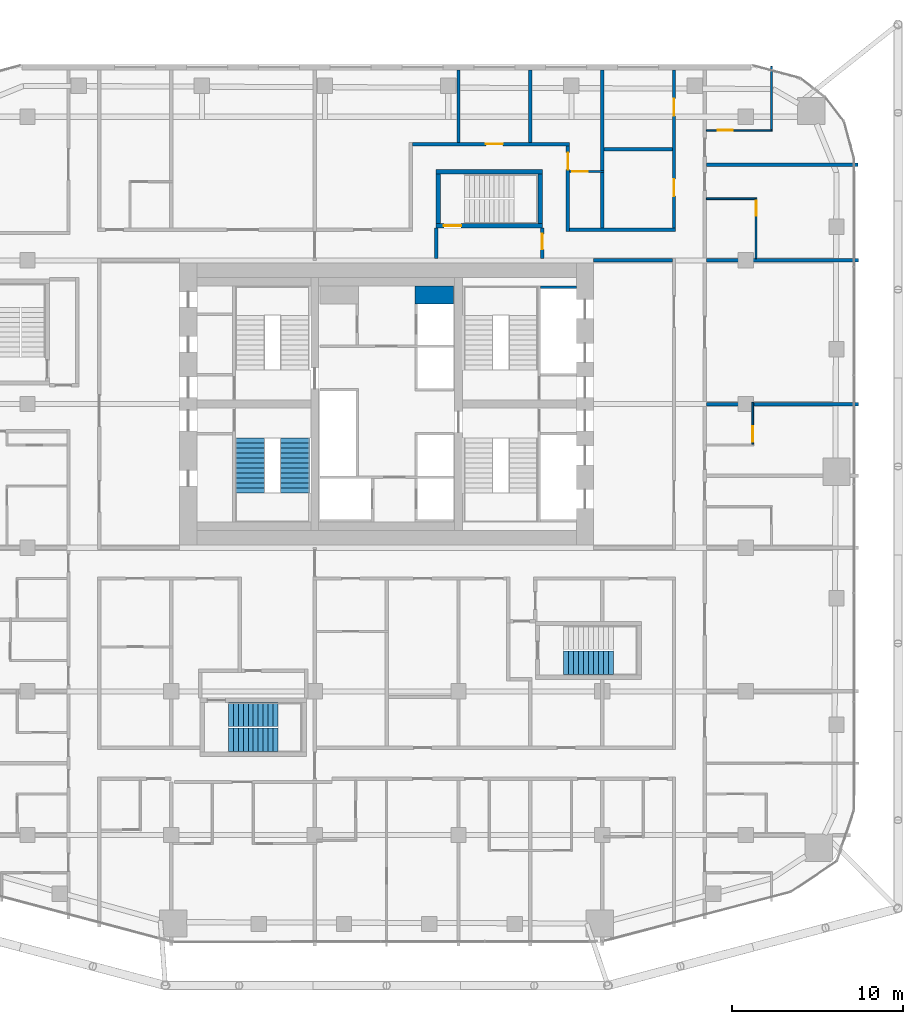
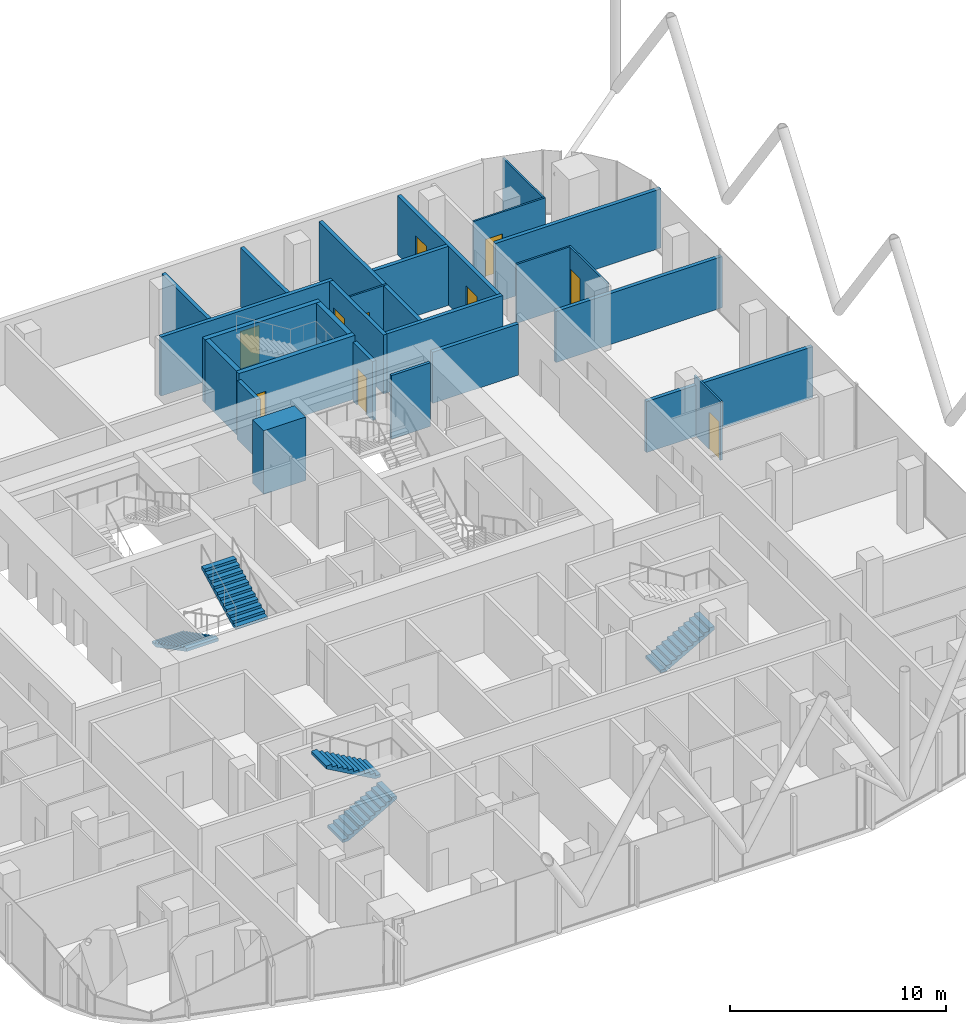
# One storey, part 30 of 33: 26 walls, 10 doors, 5 stair flights, 10 openings, 3 elements without a shape of their own.
"""IFC4 building model written with IfcOpenShell, lengths in metres."""

from ifc_helpers import new_model, si_unit, direction, frame, frame_2d, origin, place, context, subcontext, project, spatial, polyline, rectangle, outline, extrude, material, layer, layer_set, type_object, element, fill, aggregate, save


model = new_model("IFC4")

# Units and contexts
model_context = context("Model", 3, precision=1e-05, world=origin(), true_north=direction((0.0, 1.0)))
body_context = subcontext(model_context, "Body", "Model", "MODEL_VIEW")
ifc_project = project(units=[si_unit("LENGTHUNIT", "METRE"), si_unit("AREAUNIT", "SQUARE_METRE"), si_unit("VOLUMEUNIT", "CUBIC_METRE"), si_unit("PLANEANGLEUNIT", "RADIAN"), si_unit("MASSUNIT", "GRAM", prefix="KILO")], contexts=[model_context])

# Site, building, storey
site_placement = place(None, origin())
site = spatial("IfcSite", under=ifc_project, at=site_placement, CompositionType="ELEMENT")
building_placement = place(site_placement, origin())
building = spatial("IfcBuilding", under=site, at=building_placement, Name="Marenta Gate Hotel Tower", CompositionType="ELEMENT")
storey_placement = place(building_placement, frame((0.0, 0.0, 151.699951171875)))
storey = spatial("IfcBuildingStorey", under=building, at=storey_placement, Name="L35", CompositionType="ELEMENT", Elevation=151.699951171875)

# Walls
ifc_material_1 = material(Name="Concrete blockwork", Category="masonry")
ifc_layer_1 = layer(ifc_material_1, 0.199951171875)
ifc_layer_set_1 = layer_set([ifc_layer_1], Name="Concrete blockwork")
wall_type_1 = type_object("IfcWallType", Name="Core boundary wall 200 REI 180", PredefinedType="PARTITIONING", material=ifc_layer_set_1)
wall_1_placement = place(storey_placement, frame((12.10009765625, 16.800048828125, 0.0), z_axis=(0.0, 0.0, 1.0), x_axis=(1.0, 0.0, 0.0)))
element("IfcWall", 1, at=wall_1_placement, inside=storey, type_object=wall_type_1, Name="L35-CP-EW-EN", PredefinedType="PARTITIONING", context=body_context, shape_type="SweptSolid", body=[
    extrude(rectangle(XDim=4.599853515625, YDim=0.199951171875, at=frame_2d((2.2998046875, 0.0))), origin(), (0.0, 0.0, 1.0), 2.89013671875),
])
ifc_material_2 = material(Name="Concrete C40", Category="concrete")
ifc_layer_2 = layer(ifc_material_2, 1.050048828125)
ifc_layer_set_2 = layer_set([ifc_layer_2], Name="Concrete C40")
wall_type_2 = type_object("IfcWallType", Name="Core shaft wall 1050 REI 180", PredefinedType="SHEAR", material=ifc_layer_set_2)
wall_2_placement = place(storey_placement, frame((1.64990234375, 14.77490234375, 0.0), z_axis=(0.0, 0.0, 1.0), x_axis=(1.0, 0.0, 0.0)))
element("IfcWall", 2, at=wall_2_placement, inside=storey, type_object=wall_type_2, Name="L35-SHF-CE-N-top", PredefinedType="SHEAR", context=body_context, shape_type="SweptSolid", body=[
    extrude(rectangle(XDim=2.25, YDim=1.050048828125, at=frame_2d((1.125, 0.0))), origin(), (0.0, 0.0, 1.0), 3.60009765625),
])
ifc_material_3 = material(Name="Concrete C40", Category="concrete")
ifc_layer_3 = layer(ifc_material_3, 0.14990234375)
ifc_layer_set_3 = layer_set([ifc_layer_3], Name="Concrete C40")
wall_type_3 = type_object("IfcWallType", Name="Core shaft wall 150 REI 180", PredefinedType="SHEAR", material=ifc_layer_set_3)
wall_3_placement = place(storey_placement, frame((9.0, 15.22509765625, 0.0), z_axis=(0.0, 0.0, 1.0), x_axis=(1.0, 0.0, 0.0)))
element("IfcWall", 3, at=wall_3_placement, inside=storey, type_object=wall_type_3, Name="L35-SHF-SW-EN-5", PredefinedType="SHEAR", context=body_context, shape_type="SweptSolid", body=[
    extrude(rectangle(XDim=2.10009765625, YDim=0.14990234375, at=frame_2d((1.050048828125, 0.0))), origin(), (0.0, 0.0, 1.0), 3.60009765625),
])

# Wall, opening, door
ifc_material_4 = material(Name="Concrete C40", Category="concrete")
ifc_layer_4 = layer(ifc_material_4, 0.25)
ifc_layer_set_4 = layer_set([ifc_layer_4], Name="Concrete C40")
wall_type_4 = type_object("IfcWallType", Name="Remote stair enclosure wall 250 REI 180", PredefinedType="SHEAR", material=ifc_layer_set_4)
wall_4_placement = place(storey_placement, frame((2.89990234375, 18.824951171875, 0.10009765625), z_axis=(0.0, 0.0, 1.0), x_axis=(1.0, 0.0, 0.0)))
wall_4 = element("IfcWall", 4, at=wall_4_placement, inside=storey, type_object=wall_type_4, Name="L35-RS-Z2-4-W1", PredefinedType="SHEAR", context=body_context, shape_type="SweptSolid", body=[
    extrude(rectangle(XDim=6.2001953125, YDim=0.25, at=frame_2d((3.10009765625, 0.0))), origin(), (0.0, 0.0, 1.0), 3.599853515625),
])
opening_1_placement = place(wall_4_placement, frame((0.449951171875, 0.0, 0.0)))
opening_1 = element("IfcOpeningElement", 5, at=opening_1_placement, cuts=wall_4, Name="Opening VD", PredefinedType="OPENING", context=body_context, shape_type="SweptSolid", body=[
    extrude(rectangle(XDim=1.0, YDim=2.10009765625, at=frame_2d((0.5, 1.050048828125))), frame((0.0, 0.125, 0.0), z_axis=(0.0, -1.0, 0.0), x_axis=(1.0, 0.0, 0.0)), (0.0, 0.0, 1.0), 0.25),
])
ifc_material_5 = material(Name="Steel", Category="steel")
door_type_1 = type_object("IfcDoorType", Name="Stair vestibule door 1000x2100 FD60", OperationType="SINGLE_SWING_LEFT", PredefinedType="DOOR", material=ifc_material_5)
door_1_placement = place(opening_1_placement, origin())
door_1 = element("IfcDoor", 6, at=door_1_placement, inside=storey, type_object=door_type_1, Name="VD", OperationType="SINGLE_SWING_LEFT", OverallHeight=2.10009765625, OverallWidth=1.0, PredefinedType="DOOR", context=body_context, shape_type="SweptSolid", body=[
    extrude(rectangle(XDim=1.0, YDim=2.10009765625, at=frame_2d((0.5, 1.050048828125))), frame((0.0, 0.02490234375, 0.0), z_axis=(0.0, -1.0, 0.0), x_axis=(1.0, 0.0, 0.0)), (0.0, 0.0, 1.0), 0.050048828125),
])
fill(opening_1, door_1)

# Walls
wall_5_placement = place(storey_placement, frame((2.89990234375, 21.97509765625, 0.10009765625), z_axis=(0.0, 0.0, 1.0), x_axis=(1.0, 0.0, 0.0)))
element("IfcWall", 7, at=wall_5_placement, inside=storey, type_object=wall_type_4, Name="L35-RS-Z2-4-W2", PredefinedType="SHEAR", context=body_context, shape_type="SweptSolid", body=[
    extrude(rectangle(XDim=6.2001953125, YDim=0.25, at=frame_2d((3.10009765625, 0.0))), origin(), (0.0, 0.0, 1.0), 3.599853515625),
])
for number, where, z_axis, x_axis, name in (
    (8, (3.02490234375, 18.949951171875, 0.10009765625), (0.0, 0.0, 1.0), (0.0, 1.0, 0.0), "L35-RS-Z2-4-W3"),
    (9, (8.97509765625, 18.949951171875, 0.10009765625), (0.0, 0.0, 1.0), (0.0, 1.0, 0.0), "L35-RS-Z2-4-W4"),
):
    element("IfcWall", number, at=place(storey_placement, frame(where, z_axis=z_axis, x_axis=x_axis)), inside=storey, type_object=wall_type_4, Name=name, PredefinedType="SHEAR", context=body_context, shape_type="SweptSolid", body=[
        extrude(rectangle(XDim=2.900146484375, YDim=0.25, at=frame_2d((1.4501953125, 0.0))), origin(), (0.0, 0.0, 1.0), 3.599853515625),
    ])

# Wall, openings, doors
ifc_material_6 = material(Name="Gypsum board on steel stud", Category="steel")
ifc_layer_5 = layer(ifc_material_6, 0.199951171875)
ifc_layer_set_5 = layer_set([ifc_layer_5], Name="Gypsum board on steel stud")
wall_type_5 = type_object("IfcWallType", Name="Room corridor wall 200 EI 60", PredefinedType="PARTITIONING", material=ifc_layer_set_5)
wall_6_placement = place(storey_placement, frame((16.800048828125, 18.699951171875, 0.0), z_axis=(0.0, 0.0, 1.0), x_axis=(0.0, 1.0, 0.0)))
wall_6 = element("IfcWall", 10, at=wall_6_placement, inside=storey, type_object=wall_type_5, Name="L35-PTN-W017", PredefinedType="PARTITIONING", context=body_context, shape_type="SweptSolid", body=[
    extrude(rectangle(XDim=9.239990234375, YDim=0.199951171875, at=frame_2d((4.6201171875, 0.0))), origin(), (0.0, 0.0, 1.0), 3.340087890625),
])
opening_2_placement = place(wall_6_placement, frame((1.85009765625, 0.0, 0.0)))
opening_2 = element("IfcOpeningElement", 11, at=opening_2_placement, cuts=wall_6, Name="Opening G13-65", PredefinedType="OPENING", context=body_context, shape_type="SweptSolid", body=[
    extrude(rectangle(XDim=1.0, YDim=2.10009765625, at=frame_2d((0.5, 1.050048828125))), frame((0.0, 0.10009765625, 0.0), z_axis=(0.0, -1.0, 0.0), x_axis=(1.0, 0.0, 0.0)), (0.0, 0.0, 1.0), 0.199951171875),
])
opening_3_placement = place(wall_6_placement, frame((6.550048828125, 0.0, 0.0)))
opening_3 = element("IfcOpeningElement", 12, at=opening_3_placement, cuts=wall_6, Name="Opening G13-66", PredefinedType="OPENING", context=body_context, shape_type="SweptSolid", body=[
    extrude(rectangle(XDim=1.0, YDim=2.10009765625, at=frame_2d((0.5, 1.050048828125))), frame((0.0, 0.10009765625, 0.0), z_axis=(0.0, -1.0, 0.0), x_axis=(1.0, 0.0, 0.0)), (0.0, 0.0, 1.0), 0.199951171875),
])
ifc_material_7 = material(Name="Timber door leaf", Category="wood")
door_type_2 = type_object("IfcDoorType", Name="Room amenity door 1000x2100 EI 30", OperationType="NOTDEFINED", PredefinedType="DOOR", material=ifc_material_7)
door_2_placement = place(opening_2_placement, origin())
door_2 = element("IfcDoor", 13, at=door_2_placement, inside=storey, type_object=door_type_2, Name="L35-PD-D065", OperationType="SINGLE_SWING_LEFT", OverallHeight=2.10009765625, OverallWidth=1.0, PredefinedType="DOOR", context=body_context, shape_type="SweptSolid", body=[
    extrude(rectangle(XDim=1.0, YDim=2.10009765625, at=frame_2d((0.5, 1.050048828125))), frame((0.0, 0.02490234375, 0.0), z_axis=(0.0, -1.0, 0.0), x_axis=(1.0, 0.0, 0.0)), (0.0, 0.0, 1.0), 0.050048828125),
])
fill(opening_2, door_2)
door_3_placement = place(opening_3_placement, origin())
door_3 = element("IfcDoor", 14, at=door_3_placement, inside=storey, type_object=door_type_2, Name="L35-PD-D066", OperationType="SINGLE_SWING_LEFT", OverallHeight=2.10009765625, OverallWidth=1.0, PredefinedType="DOOR", context=body_context, shape_type="SweptSolid", body=[
    extrude(rectangle(XDim=1.0, YDim=2.10009765625, at=frame_2d((0.5, 1.050048828125))), frame((0.0, 0.02490234375, 0.0), z_axis=(0.0, -1.0, 0.0), x_axis=(1.0, 0.0, 0.0)), (0.0, 0.0, 1.0), 0.050048828125),
])
fill(opening_3, door_3)

# Wall, opening, door
wall_7_placement = place(storey_placement, frame((10.60009765625, 18.5, 0.0), z_axis=(0.0, 0.0, 1.0), x_axis=(0.0, 1.0, 0.0)))
wall_7 = element("IfcWall", 15, at=wall_7_placement, inside=storey, type_object=wall_type_5, Name="L35-PTN-W037", PredefinedType="PARTITIONING", context=body_context, shape_type="SweptSolid", body=[
    extrude(rectangle(XDim=5.0, YDim=0.199951171875, at=frame_2d((2.5, 0.0))), origin(), (0.0, 0.0, 1.0), 3.340087890625),
])
opening_4_placement = place(wall_7_placement, frame((3.60009765625, 0.0, 0.0)))
opening_4 = element("IfcOpeningElement", 16, at=opening_4_placement, cuts=wall_7, Name="Opening G13-27", PredefinedType="OPENING", context=body_context, shape_type="SweptSolid", body=[
    extrude(rectangle(XDim=1.0, YDim=2.10009765625, at=frame_2d((0.5, 1.050048828125))), frame((0.0, 0.10009765625, 0.0), z_axis=(0.0, -1.0, 0.0), x_axis=(1.0, 0.0, 0.0)), (0.0, 0.0, 1.0), 0.199951171875),
])
ifc_material_8 = material(Name="Timber door leaf", Category="wood")
door_type_3 = type_object("IfcDoorType", Name="Guest room door 1000x2100 EI 30", OperationType="NOTDEFINED", PredefinedType="DOOR", material=ifc_material_8)
door_4_placement = place(opening_4_placement, origin())
door_4 = element("IfcDoor", 17, at=door_4_placement, inside=storey, type_object=door_type_3, Name="L35-PD-D027", OperationType="SINGLE_SWING_LEFT", OverallHeight=2.10009765625, OverallWidth=1.0, PredefinedType="DOOR", context=body_context, shape_type="SweptSolid", body=[
    extrude(rectangle(XDim=1.0, YDim=2.10009765625, at=frame_2d((0.5, 1.050048828125))), frame((0.0, 0.02490234375, 0.0), z_axis=(0.0, -1.0, 0.0), x_axis=(1.0, 0.0, 0.0)), (0.0, 0.0, 1.0), 0.050048828125),
])
fill(opening_4, door_4)

# Wall
wall_8_placement = place(storey_placement, frame((10.699951171875, 18.60009765625, 0.0), z_axis=(0.0, 0.0, 1.0), x_axis=(1.0, 0.0, 0.0)))
element("IfcWall", 18, at=wall_8_placement, inside=storey, type_object=wall_type_5, Name="L35-PTN-W104", PredefinedType="PARTITIONING", context=body_context, shape_type="SweptSolid", body=[
    extrude(rectangle(XDim=6.199951171875, YDim=0.199951171875, at=frame_2d((3.10009765625, 0.0))), origin(), (0.0, 0.0, 1.0), 3.340087890625),
])

# Wall, opening, door
wall_9_placement = place(storey_placement, frame((1.5, 23.60009765625, 0.0), z_axis=(0.0, 0.0, 1.0), x_axis=(1.0, 0.0, 0.0)))
wall_9 = element("IfcWall", 19, at=wall_9_placement, inside=storey, type_object=wall_type_5, Name="L35-PTN-W117", PredefinedType="PARTITIONING", context=body_context, shape_type="SweptSolid", body=[
    extrude(rectangle(XDim=9.199951171875, YDim=0.199951171875, at=frame_2d((4.60009765625, 0.0))), origin(), (0.0, 0.0, 1.0), 3.340087890625),
])
opening_5_placement = place(wall_9_placement, frame((4.300048828125, 0.0, 0.0)))
opening_5 = element("IfcOpeningElement", 20, at=opening_5_placement, cuts=wall_9, Name="Opening G13-26", PredefinedType="OPENING", context=body_context, shape_type="SweptSolid", body=[
    extrude(rectangle(XDim=1.0, YDim=2.10009765625, at=frame_2d((0.5, 1.050048828125))), frame((0.0, 0.10009765625, 0.0), z_axis=(0.0, -1.0, 0.0), x_axis=(1.0, 0.0, 0.0)), (0.0, 0.0, 1.0), 0.199951171875),
])
ifc_material_9 = material(Name="Hollow steel door set", Category="steel")
door_type_4 = type_object("IfcDoorType", Name="Room service door 1000x2100 EI 30", OperationType="NOTDEFINED", PredefinedType="DOOR", material=ifc_material_9)
door_5_placement = place(opening_5_placement, origin())
door_5 = element("IfcDoor", 21, at=door_5_placement, inside=storey, type_object=door_type_4, Name="L35-PD-D026", OperationType="SINGLE_SWING_LEFT", OverallHeight=2.10009765625, OverallWidth=1.0, PredefinedType="DOOR", context=body_context, shape_type="SweptSolid", body=[
    extrude(rectangle(XDim=1.0, YDim=2.10009765625, at=frame_2d((0.5, 1.050048828125))), frame((0.0, 0.02490234375, 0.0), z_axis=(0.0, -1.0, 0.0), x_axis=(1.0, 0.0, 0.0)), (0.0, 0.0, 1.0), 0.050048828125),
])
fill(opening_5, door_5)

ifc_material_10 = material(Name="Concrete blockwork", Category="masonry")
ifc_layer_6 = layer(ifc_material_10, 0.199951171875)
ifc_layer_set_6 = layer_set([ifc_layer_6], Name="Concrete blockwork")
wall_type_6 = type_object("IfcWallType", Name="Room corridor wall 200 REI 180", PredefinedType="PARTITIONING", material=ifc_layer_set_6)
wall_10_placement = place(storey_placement, frame((9.10009765625, 16.89990234375, 0.0), z_axis=(0.0, 0.0, 1.0), x_axis=(0.0, 1.0, 0.0)))
wall_10 = element("IfcWall", 22, at=wall_10_placement, inside=storey, type_object=wall_type_6, Name="L35-PTN-W038", PredefinedType="PARTITIONING", context=body_context, shape_type="SweptSolid", body=[
    extrude(rectangle(XDim=1.800048828125, YDim=0.199951171875, at=frame_2d((0.89990234375, 0.0))), origin(), (0.0, 0.0, 1.0), 3.340087890625),
])
opening_6_placement = place(wall_10_placement, frame((0.550048828125, 0.0, 0.0)))
opening_6 = element("IfcOpeningElement", 23, at=opening_6_placement, cuts=wall_10, Name="Opening G13-61", PredefinedType="OPENING", context=body_context, shape_type="SweptSolid", body=[
    extrude(rectangle(XDim=0.89990234375, YDim=2.10009765625, at=frame_2d((0.449951171875, 1.050048828125))), frame((0.0, 0.10009765625, 0.0), z_axis=(0.0, -1.0, 0.0), x_axis=(1.0, 0.0, 0.0)), (0.0, 0.0, 1.0), 0.199951171875),
])
ifc_material_11 = material(Name="Hollow steel door set", Category="steel")
door_type_5 = type_object("IfcDoorType", Name="Stair vestibule door 900x2100 EI 60", OperationType="NOTDEFINED", PredefinedType="DOOR", material=ifc_material_11)
door_6_placement = place(opening_6_placement, origin())
door_6 = element("IfcDoor", 24, at=door_6_placement, inside=storey, type_object=door_type_5, Name="L35-PD-D061", OperationType="SINGLE_SWING_RIGHT", OverallHeight=2.10009765625, OverallWidth=0.89990234375, PredefinedType="DOOR", context=body_context, shape_type="SweptSolid", body=[
    extrude(rectangle(XDim=0.89990234375, YDim=2.10009765625, at=frame_2d((0.449951171875, 1.050048828125))), frame((0.0, 0.02490234375, 0.0), z_axis=(0.0, -1.0, 0.0), x_axis=(1.0, 0.0, 0.0)), (0.0, 0.0, 1.0), 0.050048828125),
])
fill(opening_6, door_6)

# Walls
wall_11_placement = place(storey_placement, frame((2.89990234375, 16.89990234375, 0.0), z_axis=(0.0, 0.0, 1.0), x_axis=(0.0, 1.0, 0.0)))
element("IfcWall", 25, at=wall_11_placement, inside=storey, type_object=wall_type_6, Name="L35-PTN-W060", PredefinedType="PARTITIONING", context=body_context, shape_type="SweptSolid", body=[
    extrude(rectangle(XDim=1.800048828125, YDim=0.199951171875, at=frame_2d((0.89990234375, 0.0))), origin(), (0.0, 0.0, 1.0), 3.340087890625),
])
ifc_material_12 = material(Name="Gypsum board on steel stud", Category="steel")
ifc_layer_7 = layer(ifc_material_12, 0.10009765625)
ifc_layer_set_7 = layer_set([ifc_layer_7], Name="Gypsum board on steel stud")
wall_type_7 = type_object("IfcWallType", Name="Room partition 100", PredefinedType="PARTITIONING", material=ifc_layer_set_7)
wall_12_placement = place(storey_placement, frame((22.5, 24.449951171875, 0.0), z_axis=(0.0, 0.0, 1.0), x_axis=(0.0, 1.0, 0.0)))
element("IfcWall", 26, at=wall_12_placement, inside=storey, type_object=wall_type_7, Name="L35-PTN-W003", PredefinedType="PARTITIONING", context=body_context, shape_type="SweptSolid", body=[
    extrude(rectangle(XDim=3.692138671875, YDim=0.10009765625, at=frame_2d((1.84619140625, 0.0))), origin(), (0.0, 0.0, 1.0), 3.340087890625),
])

# Wall, opening, door
wall_13_placement = place(storey_placement, frame((21.60009765625, 16.89990234375, 0.0), z_axis=(0.0, 0.0, 1.0), x_axis=(0.0, 1.0, 0.0)))
wall_13 = element("IfcWall", 27, at=wall_13_placement, inside=storey, type_object=wall_type_7, Name="L35-PTN-W005", PredefinedType="PARTITIONING", context=body_context, shape_type="SweptSolid", body=[
    extrude(rectangle(XDim=3.550048828125, YDim=0.10009765625, at=frame_2d((1.77490234375, 0.0))), origin(), (0.0, 0.0, 1.0), 3.340087890625),
])
opening_7_placement = place(wall_13_placement, frame((2.5, 0.0, 0.0)))
opening_7 = element("IfcOpeningElement", 28, at=opening_7_placement, cuts=wall_13, Name="Opening G13-20", PredefinedType="OPENING", context=body_context, shape_type="SweptSolid", body=[
    extrude(rectangle(XDim=0.89990234375, YDim=2.10009765625, at=frame_2d((0.449951171875, 1.050048828125))), frame((0.0, 0.050048828125, 0.0), z_axis=(0.0, -1.0, 0.0), x_axis=(1.0, 0.0, 0.0)), (0.0, 0.0, 1.0), 0.10009765625),
])
ifc_material_13 = material(Name="Timber door leaf", Category="wood")
door_type_6 = type_object("IfcDoorType", Name="Guest bathroom door 900x2100", OperationType="NOTDEFINED", PredefinedType="DOOR", material=ifc_material_13)
door_7_placement = place(opening_7_placement, origin())
door_7 = element("IfcDoor", 29, at=door_7_placement, inside=storey, type_object=door_type_6, Name="L35-PD-D020", OperationType="SINGLE_SWING_RIGHT", OverallHeight=2.10009765625, OverallWidth=0.89990234375, PredefinedType="DOOR", context=body_context, shape_type="SweptSolid", body=[
    extrude(rectangle(XDim=0.89990234375, YDim=2.10009765625, at=frame_2d((0.449951171875, 1.050048828125))), frame((0.0, 0.02490234375, 0.0), z_axis=(0.0, -1.0, 0.0), x_axis=(1.0, 0.0, 0.0)), (0.0, 0.0, 1.0), 0.050048828125),
])
fill(opening_7, door_7)

wall_14_placement = place(storey_placement, frame((21.39990234375, 6.050048828125, 0.0), z_axis=(0.0, 0.0, 1.0), x_axis=(0.0, 1.0, 0.0)))
wall_14 = element("IfcWall", 30, at=wall_14_placement, inside=storey, type_object=wall_type_7, Name="L35-PTN-W006", PredefinedType="PARTITIONING", context=body_context, shape_type="SweptSolid", body=[
    extrude(rectangle(XDim=2.449951171875, YDim=0.10009765625, at=frame_2d((1.22509765625, 0.0))), origin(), (0.0, 0.0, 1.0), 3.340087890625),
])
opening_8_placement = place(wall_14_placement, frame((0.14990234375, 0.0, 0.0)))
opening_8 = element("IfcOpeningElement", 31, at=opening_8_placement, cuts=wall_14, Name="Opening G13-17", PredefinedType="OPENING", context=body_context, shape_type="SweptSolid", body=[
    extrude(rectangle(XDim=0.89990234375, YDim=2.10009765625, at=frame_2d((0.449951171875, 1.050048828125))), frame((0.0, 0.050048828125, 0.0), z_axis=(0.0, -1.0, 0.0), x_axis=(1.0, 0.0, 0.0)), (0.0, 0.0, 1.0), 0.10009765625),
])
door_8_placement = place(opening_8_placement, origin())
door_8 = element("IfcDoor", 32, at=door_8_placement, inside=storey, type_object=door_type_6, Name="L35-PD-D017", OperationType="SINGLE_SWING_LEFT", OverallHeight=2.10009765625, OverallWidth=0.89990234375, PredefinedType="DOOR", context=body_context, shape_type="SweptSolid", body=[
    extrude(rectangle(XDim=0.89990234375, YDim=2.10009765625, at=frame_2d((0.449951171875, 1.050048828125))), frame((0.0, 0.02490234375, 0.0), z_axis=(0.0, -1.0, 0.0), x_axis=(1.0, 0.0, 0.0)), (0.0, 0.0, 1.0), 0.050048828125),
])
fill(opening_8, door_8)

# Wall
wall_15_placement = place(storey_placement, frame((18.699951171875, 20.39990234375, 0.0), z_axis=(0.0, 0.0, 1.0), x_axis=(1.0, 0.0, 0.0)))
element("IfcWall", 33, at=wall_15_placement, inside=storey, type_object=wall_type_7, Name="L35-PTN-W105", PredefinedType="PARTITIONING", context=body_context, shape_type="SweptSolid", body=[
    extrude(rectangle(XDim=2.85009765625, YDim=0.10009765625, at=frame_2d((1.425048828125, 0.0))), origin(), (0.0, 0.0, 1.0), 3.340087890625),
])

# Wall, opening, door
wall_16_placement = place(storey_placement, frame((10.699951171875, 22.0, 0.0), z_axis=(0.0, 0.0, 1.0), x_axis=(1.0, 0.0, 0.0)))
wall_16 = element("IfcWall", 34, at=wall_16_placement, inside=storey, type_object=wall_type_7, Name="L35-PTN-W111", PredefinedType="PARTITIONING", context=body_context, shape_type="SweptSolid", body=[
    extrude(rectangle(XDim=2.0, YDim=0.10009765625, at=frame_2d((1.0, 0.0))), origin(), (0.0, 0.0, 1.0), 3.340087890625),
])
opening_9_placement = place(wall_16_placement, frame((0.14990234375, 0.0, 0.0)))
opening_9 = element("IfcOpeningElement", 35, at=opening_9_placement, cuts=wall_16, Name="Opening G13-28", PredefinedType="OPENING", context=body_context, shape_type="SweptSolid", body=[
    extrude(rectangle(XDim=0.89990234375, YDim=2.10009765625, at=frame_2d((0.449951171875, 1.050048828125))), frame((0.0, 0.050048828125, 0.0), z_axis=(0.0, -1.0, 0.0), x_axis=(1.0, 0.0, 0.0)), (0.0, 0.0, 1.0), 0.10009765625),
])
door_9_placement = place(opening_9_placement, origin())
door_9 = element("IfcDoor", 36, at=door_9_placement, inside=storey, type_object=door_type_6, Name="L35-PD-D028", OperationType="SINGLE_SWING_RIGHT", OverallHeight=2.10009765625, OverallWidth=0.89990234375, PredefinedType="DOOR", context=body_context, shape_type="SweptSolid", body=[
    extrude(rectangle(XDim=0.89990234375, YDim=2.10009765625, at=frame_2d((0.449951171875, 1.050048828125))), frame((0.0, 0.02490234375, 0.0), z_axis=(0.0, -1.0, 0.0), x_axis=(1.0, 0.0, 0.0)), (0.0, 0.0, 1.0), 0.050048828125),
])
fill(opening_9, door_9)

wall_17_placement = place(storey_placement, frame((18.699951171875, 24.39990234375, 0.0), z_axis=(0.0, 0.0, 1.0), x_axis=(1.0, 0.0, 0.0)))
wall_17 = element("IfcWall", 37, at=wall_17_placement, inside=storey, type_object=wall_type_7, Name="L35-PTN-W118", PredefinedType="PARTITIONING", context=body_context, shape_type="SweptSolid", body=[
    extrude(rectangle(XDim=3.85009765625, YDim=0.10009765625, at=frame_2d((1.925048828125, 0.0))), origin(), (0.0, 0.0, 1.0), 3.340087890625),
])
opening_10_placement = place(wall_17_placement, frame((0.64501953125, 0.0, 0.0)))
opening_10 = element("IfcOpeningElement", 38, at=opening_10_placement, cuts=wall_17, Name="Opening G13-22", PredefinedType="OPENING", context=body_context, shape_type="SweptSolid", body=[
    extrude(rectangle(XDim=0.89990234375, YDim=2.10009765625, at=frame_2d((0.449951171875, 1.050048828125))), frame((0.0, 0.050048828125, 0.0), z_axis=(0.0, -1.0, 0.0), x_axis=(1.0, 0.0, 0.0)), (0.0, 0.0, 1.0), 0.10009765625),
])
door_10_placement = place(opening_10_placement, origin())
door_10 = element("IfcDoor", 39, at=door_10_placement, inside=storey, type_object=door_type_6, Name="L35-PD-D022", OperationType="SINGLE_SWING_RIGHT", OverallHeight=2.10009765625, OverallWidth=0.89990234375, PredefinedType="DOOR", context=body_context, shape_type="SweptSolid", body=[
    extrude(rectangle(XDim=0.89990234375, YDim=2.10009765625, at=frame_2d((0.449951171875, 1.050048828125))), frame((0.0, 0.02490234375, 0.0), z_axis=(0.0, -1.0, 0.0), x_axis=(1.0, 0.0, 0.0)), (0.0, 0.0, 1.0), 0.050048828125),
])
fill(opening_10, door_10)

# Walls
ifc_material_14 = material(Name="Gypsum board on steel stud", Category="steel")
ifc_layer_8 = layer(ifc_material_14, 0.199951171875)
ifc_layer_set_8 = layer_set([ifc_layer_8], Name="Gypsum board on steel stud")
wall_type_8 = type_object("IfcWallType", Name="Room party wall 200 EI 60", PredefinedType="PARTITIONING", material=ifc_layer_set_8)
wall_18_placement = place(storey_placement, frame((12.60009765625, 18.699951171875, 0.0), z_axis=(0.0, 0.0, 1.0), x_axis=(0.0, 1.0, 0.0)))
element("IfcWall", 40, at=wall_18_placement, inside=storey, type_object=wall_type_8, Name="L35-PTN-W030", PredefinedType="PARTITIONING", context=body_context, shape_type="SweptSolid", body=[
    extrude(rectangle(XDim=9.239990234375, YDim=0.199951171875, at=frame_2d((4.6201171875, 0.0))), origin(), (0.0, 0.0, 1.0), 3.340087890625),
])
for number, where, z_axis, x_axis, name in (
    (41, (8.39990234375, 23.699951171875, 0.0), (0.0, 0.0, 1.0), (0.0, 1.0, 0.0), "L35-PTN-W043"),
    (42, (4.199951171875, 23.699951171875, 0.0), (0.0, 0.0, 1.0), (0.0, 1.0, 0.0), "L35-PTN-W058"),
):
    element("IfcWall", number, at=place(storey_placement, frame(where, z_axis=z_axis, x_axis=x_axis)), inside=storey, type_object=wall_type_8, Name=name, PredefinedType="PARTITIONING", context=body_context, shape_type="SweptSolid", body=[
        extrude(rectangle(XDim=4.239990234375, YDim=0.199951171875, at=frame_2d((2.1201171875, 0.0))), origin(), (0.0, 0.0, 1.0), 3.340087890625),
    ])
for number, where, z_axis, x_axis, name in (
    (43, (18.699951171875, 8.39990234375, 0.0), (0.0, 0.0, 1.0), (1.0, 0.0, 0.0), "L35-PTN-W083"),
    (44, (18.699951171875, 16.800048828125, 0.0), (0.0, 0.0, 1.0), (1.0, 0.0, 0.0), "L35-PTN-W098"),
):
    element("IfcWall", number, at=place(storey_placement, frame(where, z_axis=z_axis, x_axis=x_axis)), inside=storey, type_object=wall_type_8, Name=name, PredefinedType="PARTITIONING", context=body_context, shape_type="SweptSolid", body=[
        extrude(rectangle(XDim=8.900146484375, YDim=0.199951171875, at=frame_2d((4.4501953125, 0.0))), origin(), (0.0, 0.0, 1.0), 2.89013671875),
    ])
wall_19_placement = place(storey_placement, frame((18.699951171875, 22.39990234375, 0.0), z_axis=(0.0, 0.0, 1.0), x_axis=(1.0, 0.0, 0.0)))
element("IfcWall", 45, at=wall_19_placement, inside=storey, type_object=wall_type_8, Name="L35-PTN-W114", PredefinedType="PARTITIONING", context=body_context, shape_type="SweptSolid", body=[
    extrude(rectangle(XDim=8.84716796875, YDim=0.199951171875, at=frame_2d((4.423583984375, 0.0))), origin(), (0.0, 0.0, 1.0), 3.340087890625),
])
wall_20_placement = place(storey_placement, frame((12.699951171875, 23.300048828125, 0.0), z_axis=(0.0, 0.0, 1.0), x_axis=(1.0, 0.0, 0.0)))
element("IfcWall", 46, at=wall_20_placement, inside=storey, type_object=wall_type_8, Name="L35-PTN-W116", PredefinedType="PARTITIONING", context=body_context, shape_type="SweptSolid", body=[
    extrude(rectangle(XDim=4.0, YDim=0.199951171875, at=frame_2d((2.0, 0.0))), origin(), (0.0, 0.0, 1.0), 3.340087890625),
])

# Stair, stair flights
ifc_material_15 = material(Name="Concrete C40", Category="concrete")
stair_type_1 = type_object("IfcStairType", Name="Core exit stair 1700 wide", PredefinedType="HALF_TURN_STAIR", material=ifc_material_15)
stair_1_placement = place(storey_placement, origin())
stair_1 = element("IfcStair", 47, at=stair_1_placement, inside=storey, type_object=stair_type_1, Name="Exit stair 1", PredefinedType="HALF_TURN_STAIR")
ifc_material_16 = material(Name="Concrete C40", Category="concrete")
stair_flight_type_1 = type_object("IfcStairFlightType", Name="Core stair flight 1700 riser 150.0 going 290", PredefinedType="STRAIGHT", material=ifc_material_16)
stair_flight_1_placement = place(storey_placement, frame((-8.0, 6.39990234375, 0.0), z_axis=(0.0, 0.0, 1.0), x_axis=(0.0, -1.0, 0.0)))
stair_flight_1 = element("IfcStairFlight", 48, at=stair_flight_1_placement, type_object=stair_flight_type_1, Name="ST1 flight 1", NumberOfRisers=12, NumberOfTreads=11, PredefinedType="STRAIGHT", RiserHeight=0.15, TreadLength=0.29, context=body_context, shape_type="SweptSolid", body=[
    extrude(outline(polyline([(0.0, 0.0), (0.0, 0.14990234375), (0.2900390625, 0.14990234375), (0.2900390625, 0.300048828125), (0.580078125, 0.300048828125), (0.580078125, 0.449951171875), (0.8701171875, 0.449951171875), (0.8701171875, 0.60009765625), (1.159912109375, 0.60009765625), (1.159912109375, 0.75), (1.449951171875, 0.75), (1.449951171875, 0.89990234375), (1.739990234375, 0.89990234375), (1.739990234375, 1.050048828125), (2.030029296875, 1.050048828125), (2.030029296875, 1.199951171875), (2.320068359375, 1.199951171875), (2.320068359375, 1.35009765625), (2.610107421875, 1.35009765625), (2.610107421875, 1.5), (2.89990234375, 1.5), (2.89990234375, 1.64990234375), (3.18994140625, 1.64990234375), (3.18994140625, 1.800048828125), (3.18994140625, 1.481201171875), (0.326171875, 0.0), (0.0, 0.0)])), frame((0.0, 0.85009765625, 0.0), z_axis=(0.0, -1.0, 0.0), x_axis=(1.0, 0.0, 0.0)), (0.0, 0.0, 1.0), 1.699951171875),
])
stair_flight_2_placement = place(storey_placement, frame((-5.35009765625, 3.2099609375, 1.800048828125), z_axis=(0.0, 0.0, 1.0), x_axis=(0.0, 1.0, 0.0)))
stair_flight_2 = element("IfcStairFlight", 49, at=stair_flight_2_placement, type_object=stair_flight_type_1, Name="ST1 flight 2", NumberOfRisers=12, NumberOfTreads=11, PredefinedType="STRAIGHT", RiserHeight=0.15, TreadLength=0.29, context=body_context, shape_type="SweptSolid", body=[
    extrude(outline(polyline([(0.0, 0.0), (0.0, 0.14990234375), (0.2900390625, 0.14990234375), (0.2900390625, 0.300048828125), (0.580078125, 0.300048828125), (0.580078125, 0.449951171875), (0.8701171875, 0.449951171875), (0.8701171875, 0.60009765625), (1.159912109375, 0.60009765625), (1.159912109375, 0.75), (1.449951171875, 0.75), (1.449951171875, 0.89990234375), (1.739990234375, 0.89990234375), (1.739990234375, 1.050048828125), (2.030029296875, 1.050048828125), (2.030029296875, 1.199951171875), (2.320068359375, 1.199951171875), (2.320068359375, 1.35009765625), (2.610107421875, 1.35009765625), (2.610107421875, 1.5), (2.89990234375, 1.5), (2.89990234375, 1.64990234375), (3.18994140625, 1.64990234375), (3.18994140625, 1.800048828125), (3.18994140625, 1.481201171875), (0.326171875, 0.0), (0.0, 0.0)])), frame((0.0, 0.85009765625, 0.0), z_axis=(0.0, -1.0, 0.0), x_axis=(1.0, 0.0, 0.0)), (0.0, 0.0, 1.0), 1.699951171875),
])
aggregate(stair_1, [stair_flight_1, stair_flight_2])

ifc_material_17 = material(Name="Concrete C40", Category="concrete")
stair_type_2 = type_object("IfcStairType", Name="Remote exit stair 1400 wide", PredefinedType="HALF_TURN_STAIR", material=ifc_material_17)
stair_2_placement = place(storey_placement, origin())
stair_2 = element("IfcStair", 50, at=stair_2_placement, inside=storey, type_object=stair_type_2, Name="Exit stair RS-Z2-1", PredefinedType="HALF_TURN_STAIR")
ifc_material_18 = material(Name="Concrete C40", Category="concrete")
stair_flight_type_2 = type_object("IfcStairFlightType", Name="Remote stair flight 1400 riser 163.6 going 290", PredefinedType="STRAIGHT", material=ifc_material_18)
stair_flight_3_placement = place(storey_placement, frame((-9.25, -11.25, 0.0), z_axis=(0.0, 0.0, 1.0), x_axis=(1.0, 0.0, 0.0)))
stair_flight_3 = element("IfcStairFlight", 51, at=stair_flight_3_placement, type_object=stair_flight_type_2, Name="RS-Z2-1 flight 1", NumberOfRisers=11, NumberOfTreads=10, PredefinedType="STRAIGHT", RiserHeight=0.163636, TreadLength=0.29, context=body_context, shape_type="SweptSolid", body=[
    extrude(outline(polyline([(0.0, 0.0), (0.0, 0.16357421875), (0.2900390625, 0.16357421875), (0.2900390625, 0.327392578125), (0.580078125, 0.327392578125), (0.580078125, 0.490966796875), (0.8701171875, 0.490966796875), (0.8701171875, 0.654541015625), (1.159912109375, 0.654541015625), (1.159912109375, 0.818115234375), (1.449951171875, 0.818115234375), (1.449951171875, 0.98193359375), (1.739990234375, 0.98193359375), (1.739990234375, 1.1455078125), (2.030029296875, 1.1455078125), (2.030029296875, 1.30908203125), (2.320068359375, 1.30908203125), (2.320068359375, 1.47265625), (2.610107421875, 1.47265625), (2.610107421875, 1.636474609375), (2.89990234375, 1.636474609375), (2.89990234375, 1.800048828125), (2.89990234375, 1.46435546875), (0.304931640625, 0.0), (0.0, 0.0)])), frame((0.0, 0.699951171875, 0.0), z_axis=(0.0, -1.0, 0.0), x_axis=(1.0, 0.0, 0.0)), (0.0, 0.0, 1.0), 1.39990234375),
])
stair_flight_4_placement = place(storey_placement, frame((-6.35009765625, -9.75, 1.800048828125), z_axis=(0.0, 0.0, 1.0), x_axis=(-1.0, 0.0, 0.0)))
stair_flight_4 = element("IfcStairFlight", 52, at=stair_flight_4_placement, type_object=stair_flight_type_2, Name="RS-Z2-1 flight 2", NumberOfRisers=11, NumberOfTreads=10, PredefinedType="STRAIGHT", RiserHeight=0.163636, TreadLength=0.29, context=body_context, shape_type="SweptSolid", body=[
    extrude(outline(polyline([(0.0, 0.0), (0.0, 0.16357421875), (0.2900390625, 0.16357421875), (0.2900390625, 0.327392578125), (0.580078125, 0.327392578125), (0.580078125, 0.490966796875), (0.8701171875, 0.490966796875), (0.8701171875, 0.654541015625), (1.159912109375, 0.654541015625), (1.159912109375, 0.818115234375), (1.449951171875, 0.818115234375), (1.449951171875, 0.98193359375), (1.739990234375, 0.98193359375), (1.739990234375, 1.1455078125), (2.030029296875, 1.1455078125), (2.030029296875, 1.30908203125), (2.320068359375, 1.30908203125), (2.320068359375, 1.47265625), (2.610107421875, 1.47265625), (2.610107421875, 1.636474609375), (2.89990234375, 1.636474609375), (2.89990234375, 1.800048828125), (2.89990234375, 1.46435546875), (0.304931640625, 0.0), (0.0, 0.0)])), frame((0.0, 0.699951171875, 0.0), z_axis=(0.0, -1.0, 0.0), x_axis=(1.0, 0.0, 0.0)), (0.0, 0.0, 1.0), 1.39990234375),
])
aggregate(stair_2, [stair_flight_3, stair_flight_4])

# Stair, stair flight
stair_3_placement = place(storey_placement, origin())
stair_3 = element("IfcStair", 53, at=stair_3_placement, inside=storey, type_object=stair_type_2, Name="Exit stair RS-Z2-2", PredefinedType="HALF_TURN_STAIR")
stair_flight_5_placement = place(storey_placement, frame((10.35009765625, -6.75, 0.0), z_axis=(0.0, 0.0, 1.0), x_axis=(1.0, 0.0, 0.0)))
stair_flight_5 = element("IfcStairFlight", 54, at=stair_flight_5_placement, type_object=stair_flight_type_2, Name="RS-Z2-2 flight 1", NumberOfRisers=11, NumberOfTreads=10, PredefinedType="STRAIGHT", RiserHeight=0.163636, TreadLength=0.29, context=body_context, shape_type="SweptSolid", body=[
    extrude(outline(polyline([(0.0, 0.0), (0.0, 0.16357421875), (0.2900390625, 0.16357421875), (0.2900390625, 0.327392578125), (0.580078125, 0.327392578125), (0.580078125, 0.490966796875), (0.8701171875, 0.490966796875), (0.8701171875, 0.654541015625), (1.159912109375, 0.654541015625), (1.159912109375, 0.818115234375), (1.449951171875, 0.818115234375), (1.449951171875, 0.98193359375), (1.739990234375, 0.98193359375), (1.739990234375, 1.1455078125), (2.030029296875, 1.1455078125), (2.030029296875, 1.30908203125), (2.320068359375, 1.30908203125), (2.320068359375, 1.47265625), (2.610107421875, 1.47265625), (2.610107421875, 1.636474609375), (2.89990234375, 1.636474609375), (2.89990234375, 1.800048828125), (2.89990234375, 1.46435546875), (0.304931640625, 0.0), (0.0, 0.0)])), frame((0.0, 0.699951171875, 0.0), z_axis=(0.0, -1.0, 0.0), x_axis=(1.0, 0.0, 0.0)), (0.0, 0.0, 1.0), 1.39990234375),
])
aggregate(stair_3, [stair_flight_5])

save(model, "model.ifc")
